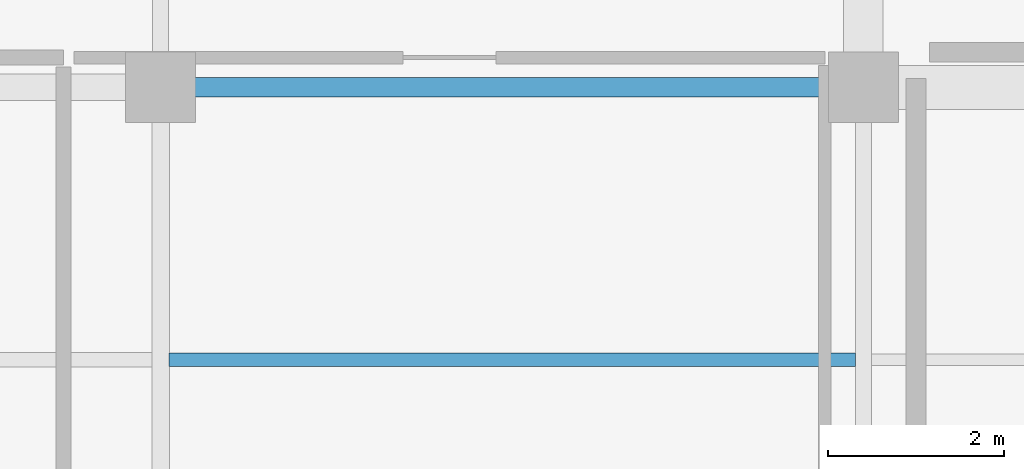
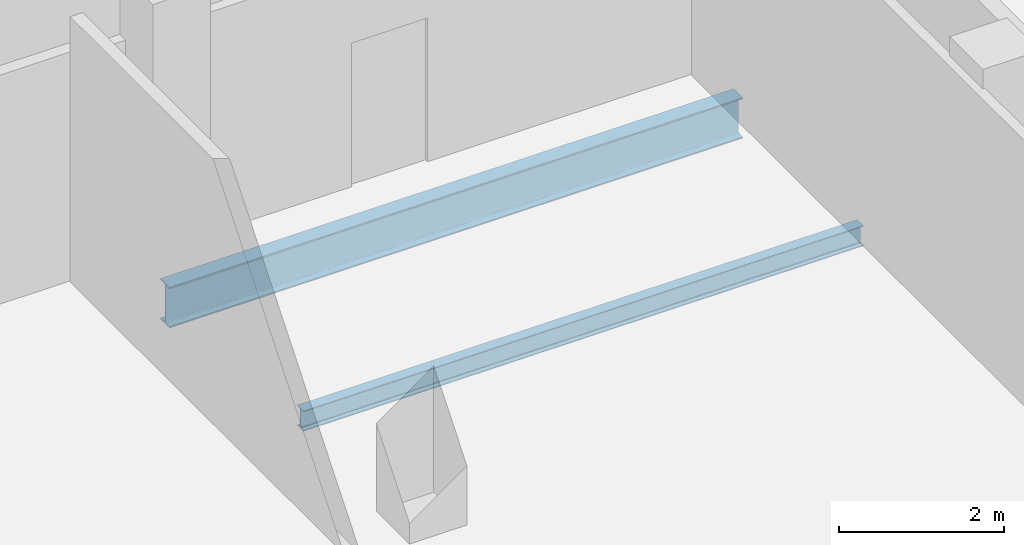
# One storey, part 49 of 193: 2 beams.
"""IFC4 building model written with IfcOpenShell, lengths in metres."""

from ifc_helpers import new_model, si_unit, direction, frame, origin, origin_2d, place, context, subcontext, project, spatial, i_section, extrude, material, material_profile, profile_set, type_object, element, save


model = new_model("IFC4")

# Units and contexts
model_context = context("Model", 3, precision=1e-05, world=origin(), true_north=direction((0.0, 1.0)))
body_context = subcontext(model_context, "Body", "Model", "MODEL_VIEW")
ifc_project = project(units=[si_unit("LENGTHUNIT", "METRE"), si_unit("AREAUNIT", "SQUARE_METRE"), si_unit("VOLUMEUNIT", "CUBIC_METRE"), si_unit("PLANEANGLEUNIT", "RADIAN"), si_unit("MASSUNIT", "GRAM", prefix="KILO")], contexts=[model_context])

# Site, building, storey
site_placement = place(None, origin())
site = spatial("IfcSite", under=ifc_project, at=site_placement, CompositionType="ELEMENT")
building_placement = place(site_placement, origin())
building = spatial("IfcBuilding", under=site, at=building_placement, Name="Qalavern Law Courts", CompositionType="ELEMENT")
storey_placement = place(building_placement, frame((0.0, 0.0, 10.199951171875)))
storey = spatial("IfcBuildingStorey", under=building, at=storey_placement, Name="L02", CompositionType="ELEMENT", Elevation=10.199951171875)

# Beams
ifc_material = material(Name="Steel S355", Category="steel")
ifc_material_profile_1 = material_profile(ifc_material, i_section(OverallWidth=0.219970703125, OverallDepth=0.60009765625, WebThickness=0.011962890625, FlangeThickness=0.01904296875, FilletRadius=0.02392578125, at=origin_2d()), Name="IPE 600")
ifc_profile_set_1 = profile_set([ifc_material_profile_1], Name="Steel S355")
beam_type_1 = type_object("IfcBeamType", Name="STR-BM-IPE600", PredefinedType="BEAM", material=ifc_profile_set_1)
beam_1_placement = place(storey_placement, frame((109.800048828125, 14.800048828125, -0.58984375), z_axis=(1.0, 0.0, 0.0), x_axis=(0.0, 1.0, 0.0)))
element("IfcBeam", 1, at=beam_1_placement, inside=storey, type_object=beam_type_1, Name="V6 X-beam 3-2 L02", PredefinedType="BEAM", context=body_context, shape_type="SweptSolid", body=[
    extrude(i_section(OverallWidth=0.219970703125, OverallDepth=0.60009765625, WebThickness=0.011962890625, FlangeThickness=0.01904296875, FilletRadius=0.02392578125, at=origin_2d()), origin(), (0.0, 0.0, 1.0), 8.0),
])
ifc_material_profile_2 = material_profile(ifc_material, i_section(OverallWidth=0.14990234375, OverallDepth=0.300048828125, WebThickness=0.007080078125, FlangeThickness=0.0107421875, FilletRadius=0.014892578125, at=origin_2d()), Name="IPE 300")
ifc_profile_set_2 = profile_set([ifc_material_profile_2], Name="Steel S355")
beam_type_2 = type_object("IfcBeamType", Name="STR-JST-IPE300", PredefinedType="JOIST", material=ifc_profile_set_2)
beam_2_placement = place(storey_placement, frame((109.89794921875, 11.699951171875, -0.43994140625), z_axis=(1.0, 0.0, 0.0), x_axis=(0.0, 1.0, 0.0)))
element("IfcBeam", 2, at=beam_2_placement, inside=storey, type_object=beam_type_2, Name="V6 secondary joist 2.2.1 L02", PredefinedType="JOIST", context=body_context, shape_type="SweptSolid", body=[
    extrude(i_section(OverallWidth=0.14990234375, OverallDepth=0.300048828125, WebThickness=0.007080078125, FlangeThickness=0.0107421875, FilletRadius=0.014892578125, at=origin_2d()), origin(), (0.0, 0.0, 1.0), 7.81396484375),
])

save(model, "model.ifc")
